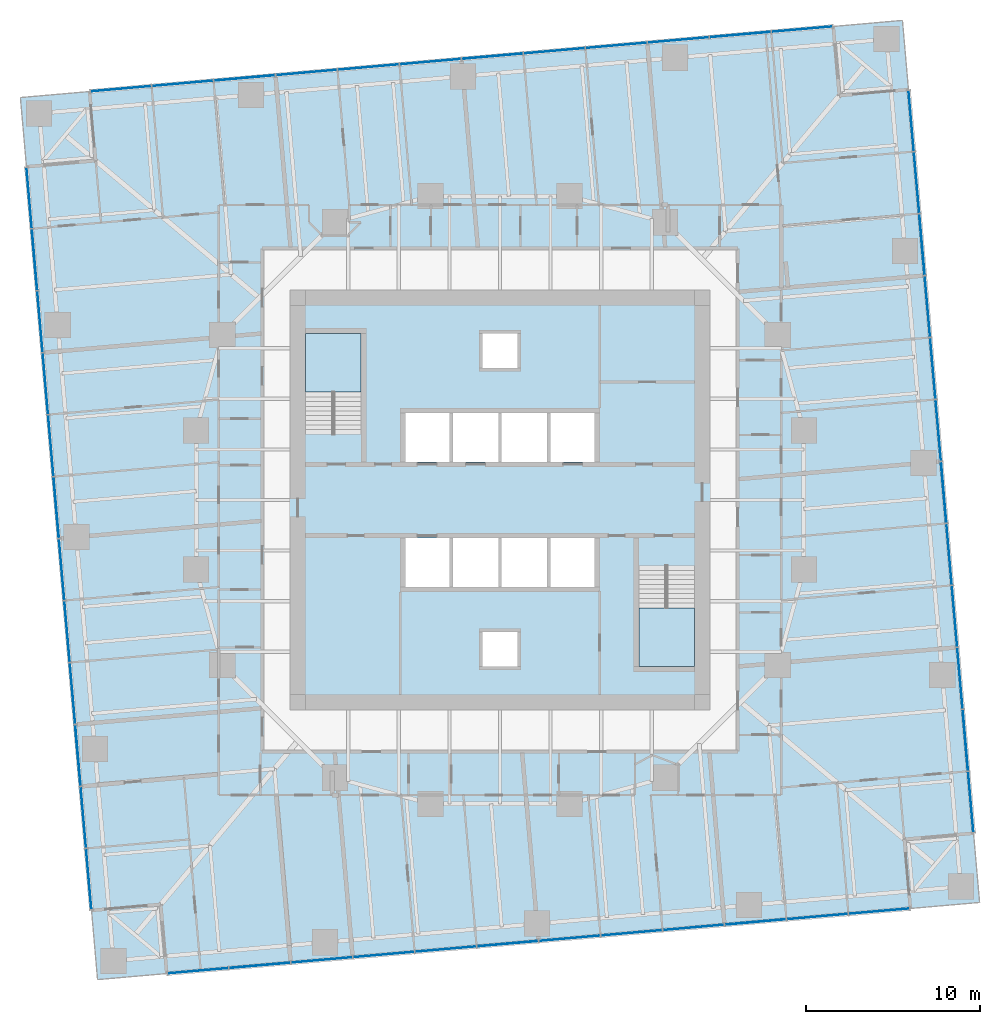
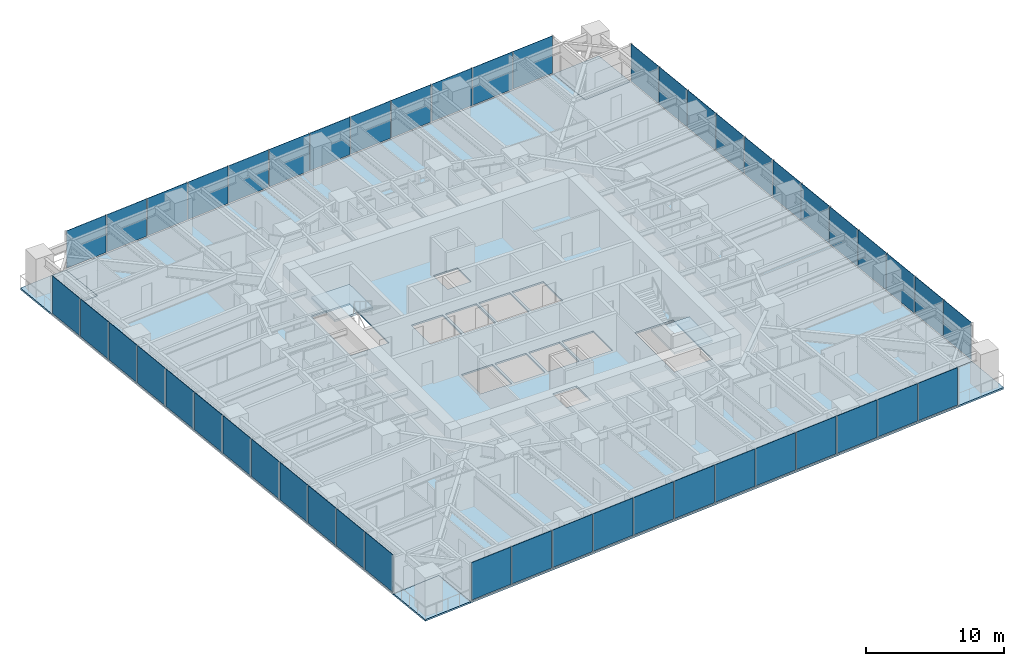
# One storey, part 7 of 14: 48 plates, 7 slabs, 6 elements without a shape of their own.
"""IFC4 building model written with IfcOpenShell, lengths in metres."""

from ifc_helpers import new_model, si_unit, direction, frame, origin, origin_2d, place, context, subcontext, project, spatial, polyline, rectangle, outline, extrude, material, layer, layer_set, type_object, element, aggregate, save


model = new_model("IFC4")

# Units and contexts
model_context = context("Model", 3, precision=1e-05, world=origin(), true_north=direction((0.0, 1.0)))
body_context = subcontext(model_context, "Body", "Model", "MODEL_VIEW")
ifc_project = project(units=[si_unit("LENGTHUNIT", "METRE"), si_unit("AREAUNIT", "SQUARE_METRE"), si_unit("VOLUMEUNIT", "CUBIC_METRE"), si_unit("PLANEANGLEUNIT", "RADIAN"), si_unit("MASSUNIT", "GRAM", prefix="KILO")], contexts=[model_context])

# Site, building, storey
site_placement = place(None, origin())
site = spatial("IfcSite", under=ifc_project, at=site_placement, CompositionType="ELEMENT")
building_placement = place(site_placement, origin())
building = spatial("IfcBuilding", under=site, at=building_placement, Name="Torsade Residences", CompositionType="ELEMENT")
storey_placement = place(building_placement, frame((0.0, 0.0, 57.39990234375)))
storey = spatial("IfcBuildingStorey", under=building, at=storey_placement, Name="L15", CompositionType="ELEMENT", Elevation=57.39990234375)

# Slab
ifc_material_1 = material(Name="Concrete 40 MPa", Category="concrete")
ifc_layer_1 = layer(ifc_material_1, 0.14990234375)
ifc_layer_set_1 = layer_set([ifc_layer_1], Name="Concrete 40 MPa")
slab_type_1 = type_object("IfcSlabType", Name="COMPOSITE FLOOR SLAB 150", PredefinedType="FLOOR", material=ifc_layer_set_1)
slab_1_placement = place(storey_placement, frame((0.0, 0.0, -0.14990234375)))
element("IfcSlab", 1, at=slab_1_placement, inside=storey, type_object=slab_type_1, Name="Floor slab L15", PredefinedType="FLOOR", context=body_context, shape_type="SweptSolid", body=[
    extrude(outline(polyline([(20.80419921875, 2.72314453125), (63.640625, 6.470947265625), (63.2919921875, 10.45556640625), (67.27685546875, 10.80419921875), (63.529052734375, 53.640625), (59.54443359375, 53.2919921875), (59.19580078125, 57.27685546875), (16.359375, 53.529052734375), (16.7080078125, 49.54443359375), (12.72314453125, 49.19580078125), (16.470947265625, 6.359375), (20.45556640625, 6.7080078125), (20.80419921875, 2.72314453125)]), holes=[polyline([(51.199951171875, 20.39990234375), (51.199951171875, 26.1201171875), (48.0, 26.1201171875), (48.0, 20.39990234375), (51.199951171875, 20.39990234375)]), polyline([(45.5, 27.800048828125), (42.89990234375, 27.800048828125), (42.89990234375, 25.0), (45.5, 25.0), (45.5, 27.800048828125)]), polyline([(45.5, 32.199951171875), (45.5, 35.0), (42.89990234375, 35.0), (42.89990234375, 32.199951171875), (45.5, 32.199951171875)]), polyline([(42.699951171875, 25.0), (42.699951171875, 27.800048828125), (40.10009765625, 27.800048828125), (40.10009765625, 25.0), (42.699951171875, 25.0)]), polyline([(42.699951171875, 32.199951171875), (42.699951171875, 35.0), (40.10009765625, 35.0), (40.10009765625, 32.199951171875), (42.699951171875, 32.199951171875)]), polyline([(41.0, 22.39990234375), (39.0, 22.39990234375), (39.0, 20.39990234375), (41.0, 20.39990234375), (41.0, 22.39990234375)]), polyline([(41.0, 37.60009765625), (41.0, 39.60009765625), (39.0, 39.60009765625), (39.0, 37.60009765625), (41.0, 37.60009765625)]), polyline([(39.89990234375, 25.0), (39.89990234375, 27.800048828125), (37.300048828125, 27.800048828125), (37.300048828125, 25.0), (39.89990234375, 25.0)]), polyline([(39.89990234375, 35.0), (37.300048828125, 35.0), (37.300048828125, 32.199951171875), (39.89990234375, 32.199951171875), (39.89990234375, 35.0)]), polyline([(37.10009765625, 27.800048828125), (34.5, 27.800048828125), (34.5, 25.0), (37.10009765625, 25.0), (37.10009765625, 27.800048828125)]), polyline([(37.10009765625, 32.199951171875), (37.10009765625, 35.0), (34.5, 35.0), (34.5, 32.199951171875), (37.10009765625, 32.199951171875)]), polyline([(32.0, 33.8798828125), (32.0, 39.60009765625), (28.800048828125, 39.60009765625), (28.800048828125, 33.8798828125), (32.0, 33.8798828125)])]), origin(), (0.0, 0.0, 1.0), 0.14990234375),
])

# Curtain wall, plates
ifc_material_2 = material(Name="Aluminium and glass", Category="aluminium")
curtain_wall_type = type_object("IfcCurtainWallType", Name="FRITTED GLASS CURTAIN WALL LOW ZONE", PredefinedType="NOTDEFINED", material=ifc_material_2)
curtain_wall_1_placement = place(storey_placement, origin())
curtain_wall_1 = element("IfcCurtainWall", 2, at=curtain_wall_1_placement, inside=storey, type_object=curtain_wall_type, Name="Curtain wall L15 face 1", PredefinedType="NOTDEFINED")
ifc_material_3 = material(Name="Laminated glass", Category="glass")
ifc_layer_2 = layer(ifc_material_3, 0.031982421875)
ifc_layer_set_2 = layer_set([ifc_layer_2], Name="Laminated glass")
plate_type_1 = type_object("IfcPlateType", Name="FRITTED GLASS PANEL", PredefinedType="CURTAIN_PANEL", material=ifc_layer_set_2)
plate_1_placement = place(storey_placement, frame((22.605224609375, 2.880859375, 0.10009765625), z_axis=(0.0, 0.0, 1.0), x_axis=(0.996194697964, 0.087155744208, 0.0)))
plate_1 = element("IfcPlate", 3, at=plate_1_placement, type_object=plate_type_1, Name="Panel 1", PredefinedType="CURTAIN_PANEL", context=body_context, shape_type="SweptSolid", body=[
    extrude(rectangle(XDim=3.48583984375, YDim=0.031982421875, at=origin_2d()), origin(), (0.0, 0.0, 1.0), 3.300048828125),
])
plate_2_placement = place(storey_placement, frame((29.728515625, 3.50390625, 0.10009765625), z_axis=(0.0, 0.0, 1.0), x_axis=(0.996194697964, 0.087155744208, 0.0)))
plate_2 = element("IfcPlate", 4, at=plate_2_placement, type_object=plate_type_1, Name="Panel 3", PredefinedType="CURTAIN_PANEL", context=body_context, shape_type="SweptSolid", body=[
    extrude(rectangle(XDim=3.518310546875, YDim=0.031982421875, at=origin_2d()), origin(), (0.0, 0.0, 1.0), 3.300048828125),
])
plate_3_placement = place(storey_placement, frame((33.29833984375, 3.816162109375, 0.10009765625), z_axis=(0.0, 0.0, 1.0), x_axis=(0.996194697964, 0.087155744208, 0.0)))
plate_3 = element("IfcPlate", 5, at=plate_3_placement, type_object=plate_type_1, Name="Panel 4", PredefinedType="CURTAIN_PANEL", context=body_context, shape_type="SweptSolid", body=[
    extrude(rectangle(XDim=3.518310546875, YDim=0.031982421875, at=origin_2d()), origin(), (0.0, 0.0, 1.0), 3.300048828125),
])
plate_4_placement = place(storey_placement, frame((36.867919921875, 4.128662109375, 0.10009765625), z_axis=(0.0, 0.0, 1.0), x_axis=(0.996194697964, 0.087155744208, 0.0)))
plate_4 = element("IfcPlate", 6, at=plate_4_placement, type_object=plate_type_1, Name="Panel 5", PredefinedType="CURTAIN_PANEL", context=body_context, shape_type="SweptSolid", body=[
    extrude(rectangle(XDim=3.518310546875, YDim=0.031982421875, at=origin_2d()), origin(), (0.0, 0.0, 1.0), 3.300048828125),
])
plate_5_placement = place(storey_placement, frame((44.00732421875, 4.753173828125, 0.10009765625), z_axis=(0.0, 0.0, 1.0), x_axis=(0.996194697964, 0.087155744208, 0.0)))
plate_5 = element("IfcPlate", 7, at=plate_5_placement, type_object=plate_type_1, Name="Panel 7", PredefinedType="CURTAIN_PANEL", context=body_context, shape_type="SweptSolid", body=[
    extrude(rectangle(XDim=3.518310546875, YDim=0.031982421875, at=origin_2d()), origin(), (0.0, 0.0, 1.0), 3.300048828125),
])
plate_6_placement = place(storey_placement, frame((47.576904296875, 5.0654296875, 0.10009765625), z_axis=(0.0, 0.0, 1.0), x_axis=(0.996194697964, 0.087155744208, 0.0)))
plate_6 = element("IfcPlate", 8, at=plate_6_placement, type_object=plate_type_1, Name="Panel 8", PredefinedType="CURTAIN_PANEL", context=body_context, shape_type="SweptSolid", body=[
    extrude(rectangle(XDim=3.518310546875, YDim=0.031982421875, at=origin_2d()), origin(), (0.0, 0.0, 1.0), 3.300048828125),
])
plate_7_placement = place(storey_placement, frame((51.146728515625, 5.377685546875, 0.10009765625), z_axis=(0.0, 0.0, 1.0), x_axis=(0.996194697964, 0.087155744208, 0.0)))
plate_7 = element("IfcPlate", 9, at=plate_7_placement, type_object=plate_type_1, Name="Panel 9", PredefinedType="CURTAIN_PANEL", context=body_context, shape_type="SweptSolid", body=[
    extrude(rectangle(XDim=3.518310546875, YDim=0.031982421875, at=origin_2d()), origin(), (0.0, 0.0, 1.0), 3.300048828125),
])
plate_8_placement = place(storey_placement, frame((58.2861328125, 6.00244140625, 0.10009765625), z_axis=(0.0, 0.0, 1.0), x_axis=(0.996194697964, 0.087155744208, 0.0)))
plate_8 = element("IfcPlate", 10, at=plate_8_placement, type_object=plate_type_1, Name="Panel 11", PredefinedType="CURTAIN_PANEL", context=body_context, shape_type="SweptSolid", body=[
    extrude(rectangle(XDim=3.518310546875, YDim=0.031982421875, at=origin_2d()), origin(), (0.0, 0.0, 1.0), 3.300048828125),
])
plate_9_placement = place(storey_placement, frame((61.839599609375, 6.313232421875, 0.10009765625), z_axis=(0.0, 0.0, 1.0), x_axis=(0.996194697964, 0.087155744208, 0.0)))
plate_9 = element("IfcPlate", 11, at=plate_9_placement, type_object=plate_type_1, Name="Panel 12", PredefinedType="CURTAIN_PANEL", context=body_context, shape_type="SweptSolid", body=[
    extrude(rectangle(XDim=3.48583984375, YDim=0.031982421875, at=origin_2d()), origin(), (0.0, 0.0, 1.0), 3.300048828125),
])

curtain_wall_2_placement = place(storey_placement, origin())
curtain_wall_2 = element("IfcCurtainWall", 12, at=curtain_wall_2_placement, inside=storey, type_object=curtain_wall_type, Name="Curtain wall L15 face 4", PredefinedType="NOTDEFINED")
plate_10_placement = place(storey_placement, frame((67.119140625, 12.605224609375, 0.10009765625), z_axis=(0.0, 0.0, 1.0), x_axis=(-0.087155744208, 0.996194697964, 0.0)))
plate_10 = element("IfcPlate", 13, at=plate_10_placement, type_object=plate_type_1, Name="Panel 1", PredefinedType="CURTAIN_PANEL", context=body_context, shape_type="SweptSolid", body=[
    extrude(rectangle(XDim=3.48583984375, YDim=0.031982421875, at=origin_2d()), origin(), (0.0, 0.0, 1.0), 3.300048828125),
])
plate_11_placement = place(storey_placement, frame((66.49609375, 19.728515625, 0.10009765625), z_axis=(0.0, 0.0, 1.0), x_axis=(-0.087155744208, 0.996194697964, 0.0)))
plate_11 = element("IfcPlate", 14, at=plate_11_placement, type_object=plate_type_1, Name="Panel 3", PredefinedType="CURTAIN_PANEL", context=body_context, shape_type="SweptSolid", body=[
    extrude(rectangle(XDim=3.518310546875, YDim=0.031982421875, at=origin_2d()), origin(), (0.0, 0.0, 1.0), 3.300048828125),
])
plate_12_placement = place(storey_placement, frame((66.183837890625, 23.29833984375, 0.10009765625), z_axis=(0.0, 0.0, 1.0), x_axis=(-0.087155744208, 0.996194697964, 0.0)))
plate_12 = element("IfcPlate", 15, at=plate_12_placement, type_object=plate_type_1, Name="Panel 4", PredefinedType="CURTAIN_PANEL", context=body_context, shape_type="SweptSolid", body=[
    extrude(rectangle(XDim=3.518310546875, YDim=0.031982421875, at=origin_2d()), origin(), (0.0, 0.0, 1.0), 3.300048828125),
])
plate_13_placement = place(storey_placement, frame((65.871337890625, 26.867919921875, 0.10009765625), z_axis=(0.0, 0.0, 1.0), x_axis=(-0.087155744208, 0.996194697964, 0.0)))
plate_13 = element("IfcPlate", 16, at=plate_13_placement, type_object=plate_type_1, Name="Panel 5", PredefinedType="CURTAIN_PANEL", context=body_context, shape_type="SweptSolid", body=[
    extrude(rectangle(XDim=3.518310546875, YDim=0.031982421875, at=origin_2d()), origin(), (0.0, 0.0, 1.0), 3.300048828125),
])
plate_14_placement = place(storey_placement, frame((65.246826171875, 34.00732421875, 0.10009765625), z_axis=(0.0, 0.0, 1.0), x_axis=(-0.087155744208, 0.996194697964, 0.0)))
plate_14 = element("IfcPlate", 17, at=plate_14_placement, type_object=plate_type_1, Name="Panel 7", PredefinedType="CURTAIN_PANEL", context=body_context, shape_type="SweptSolid", body=[
    extrude(rectangle(XDim=3.518310546875, YDim=0.031982421875, at=origin_2d()), origin(), (0.0, 0.0, 1.0), 3.300048828125),
])
plate_15_placement = place(storey_placement, frame((64.9345703125, 37.576904296875, 0.10009765625), z_axis=(0.0, 0.0, 1.0), x_axis=(-0.087155744208, 0.996194697964, 0.0)))
plate_15 = element("IfcPlate", 18, at=plate_15_placement, type_object=plate_type_1, Name="Panel 8", PredefinedType="CURTAIN_PANEL", context=body_context, shape_type="SweptSolid", body=[
    extrude(rectangle(XDim=3.518310546875, YDim=0.031982421875, at=origin_2d()), origin(), (0.0, 0.0, 1.0), 3.300048828125),
])
plate_16_placement = place(storey_placement, frame((64.622314453125, 41.146728515625, 0.10009765625), z_axis=(0.0, 0.0, 1.0), x_axis=(-0.087155744208, 0.996194697964, 0.0)))
plate_16 = element("IfcPlate", 19, at=plate_16_placement, type_object=plate_type_1, Name="Panel 9", PredefinedType="CURTAIN_PANEL", context=body_context, shape_type="SweptSolid", body=[
    extrude(rectangle(XDim=3.518310546875, YDim=0.031982421875, at=origin_2d()), origin(), (0.0, 0.0, 1.0), 3.300048828125),
])
plate_17_placement = place(storey_placement, frame((63.99755859375, 48.2861328125, 0.10009765625), z_axis=(0.0, 0.0, 1.0), x_axis=(-0.087155744208, 0.996194697964, 0.0)))
plate_17 = element("IfcPlate", 20, at=plate_17_placement, type_object=plate_type_1, Name="Panel 11", PredefinedType="CURTAIN_PANEL", context=body_context, shape_type="SweptSolid", body=[
    extrude(rectangle(XDim=3.518310546875, YDim=0.031982421875, at=origin_2d()), origin(), (0.0, 0.0, 1.0), 3.300048828125),
])
plate_18_placement = place(storey_placement, frame((63.686767578125, 51.839599609375, 0.10009765625), z_axis=(0.0, 0.0, 1.0), x_axis=(-0.087155744208, 0.996194697964, 0.0)))
plate_18 = element("IfcPlate", 21, at=plate_18_placement, type_object=plate_type_1, Name="Panel 12", PredefinedType="CURTAIN_PANEL", context=body_context, shape_type="SweptSolid", body=[
    extrude(rectangle(XDim=3.48583984375, YDim=0.031982421875, at=origin_2d()), origin(), (0.0, 0.0, 1.0), 3.300048828125),
])

curtain_wall_3_placement = place(storey_placement, origin())
curtain_wall_3 = element("IfcCurtainWall", 22, at=curtain_wall_3_placement, inside=storey, type_object=curtain_wall_type, Name="Curtain wall L15 face 7", PredefinedType="NOTDEFINED")
plate_19_placement = place(storey_placement, frame((57.394775390625, 57.119140625, 0.10009765625), z_axis=(0.0, 0.0, 1.0), x_axis=(-0.996194697964, -0.087155744208, 0.0)))
plate_19 = element("IfcPlate", 23, at=plate_19_placement, type_object=plate_type_1, Name="Panel 1", PredefinedType="CURTAIN_PANEL", context=body_context, shape_type="SweptSolid", body=[
    extrude(rectangle(XDim=3.48583984375, YDim=0.031982421875, at=origin_2d()), origin(), (0.0, 0.0, 1.0), 3.300048828125),
])
plate_20_placement = place(storey_placement, frame((50.271484375, 56.49609375, 0.10009765625), z_axis=(0.0, 0.0, 1.0), x_axis=(-0.996194697964, -0.087155744208, 0.0)))
plate_20 = element("IfcPlate", 24, at=plate_20_placement, type_object=plate_type_1, Name="Panel 3", PredefinedType="CURTAIN_PANEL", context=body_context, shape_type="SweptSolid", body=[
    extrude(rectangle(XDim=3.518310546875, YDim=0.031982421875, at=origin_2d()), origin(), (0.0, 0.0, 1.0), 3.300048828125),
])
plate_21_placement = place(storey_placement, frame((46.70166015625, 56.183837890625, 0.10009765625), z_axis=(0.0, 0.0, 1.0), x_axis=(-0.996194697964, -0.087155744208, 0.0)))
plate_21 = element("IfcPlate", 25, at=plate_21_placement, type_object=plate_type_1, Name="Panel 4", PredefinedType="CURTAIN_PANEL", context=body_context, shape_type="SweptSolid", body=[
    extrude(rectangle(XDim=3.518310546875, YDim=0.031982421875, at=origin_2d()), origin(), (0.0, 0.0, 1.0), 3.300048828125),
])
plate_22_placement = place(storey_placement, frame((43.132080078125, 55.871337890625, 0.10009765625), z_axis=(0.0, 0.0, 1.0), x_axis=(-0.996194697964, -0.087155744208, 0.0)))
plate_22 = element("IfcPlate", 26, at=plate_22_placement, type_object=plate_type_1, Name="Panel 5", PredefinedType="CURTAIN_PANEL", context=body_context, shape_type="SweptSolid", body=[
    extrude(rectangle(XDim=3.518310546875, YDim=0.031982421875, at=origin_2d()), origin(), (0.0, 0.0, 1.0), 3.300048828125),
])
plate_23_placement = place(storey_placement, frame((35.99267578125, 55.246826171875, 0.10009765625), z_axis=(0.0, 0.0, 1.0), x_axis=(-0.996194697964, -0.087155744208, 0.0)))
plate_23 = element("IfcPlate", 27, at=plate_23_placement, type_object=plate_type_1, Name="Panel 7", PredefinedType="CURTAIN_PANEL", context=body_context, shape_type="SweptSolid", body=[
    extrude(rectangle(XDim=3.518310546875, YDim=0.031982421875, at=origin_2d()), origin(), (0.0, 0.0, 1.0), 3.300048828125),
])
plate_24_placement = place(storey_placement, frame((32.423095703125, 54.9345703125, 0.10009765625), z_axis=(0.0, 0.0, 1.0), x_axis=(-0.996194697964, -0.087155744208, 0.0)))
plate_24 = element("IfcPlate", 28, at=plate_24_placement, type_object=plate_type_1, Name="Panel 8", PredefinedType="CURTAIN_PANEL", context=body_context, shape_type="SweptSolid", body=[
    extrude(rectangle(XDim=3.518310546875, YDim=0.031982421875, at=origin_2d()), origin(), (0.0, 0.0, 1.0), 3.300048828125),
])
plate_25_placement = place(storey_placement, frame((28.853271484375, 54.622314453125, 0.10009765625), z_axis=(0.0, 0.0, 1.0), x_axis=(-0.996194697964, -0.087155744208, 0.0)))
plate_25 = element("IfcPlate", 29, at=plate_25_placement, type_object=plate_type_1, Name="Panel 9", PredefinedType="CURTAIN_PANEL", context=body_context, shape_type="SweptSolid", body=[
    extrude(rectangle(XDim=3.518310546875, YDim=0.031982421875, at=origin_2d()), origin(), (0.0, 0.0, 1.0), 3.300048828125),
])
plate_26_placement = place(storey_placement, frame((21.7138671875, 53.99755859375, 0.10009765625), z_axis=(0.0, 0.0, 1.0), x_axis=(-0.996194697964, -0.087155744208, 0.0)))
plate_26 = element("IfcPlate", 30, at=plate_26_placement, type_object=plate_type_1, Name="Panel 11", PredefinedType="CURTAIN_PANEL", context=body_context, shape_type="SweptSolid", body=[
    extrude(rectangle(XDim=3.518310546875, YDim=0.031982421875, at=origin_2d()), origin(), (0.0, 0.0, 1.0), 3.300048828125),
])
plate_27_placement = place(storey_placement, frame((18.160400390625, 53.686767578125, 0.10009765625), z_axis=(0.0, 0.0, 1.0), x_axis=(-0.996194697964, -0.087155744208, 0.0)))
plate_27 = element("IfcPlate", 31, at=plate_27_placement, type_object=plate_type_1, Name="Panel 12", PredefinedType="CURTAIN_PANEL", context=body_context, shape_type="SweptSolid", body=[
    extrude(rectangle(XDim=3.48583984375, YDim=0.031982421875, at=origin_2d()), origin(), (0.0, 0.0, 1.0), 3.300048828125),
])

curtain_wall_4_placement = place(storey_placement, origin())
curtain_wall_4 = element("IfcCurtainWall", 32, at=curtain_wall_4_placement, inside=storey, type_object=curtain_wall_type, Name="Curtain wall L15 face 10", PredefinedType="NOTDEFINED")
plate_28_placement = place(storey_placement, frame((12.880859375, 47.394775390625, 0.10009765625), z_axis=(0.0, 0.0, 1.0), x_axis=(0.087155744208, -0.996194697964, 0.0)))
plate_28 = element("IfcPlate", 33, at=plate_28_placement, type_object=plate_type_1, Name="Panel 1", PredefinedType="CURTAIN_PANEL", context=body_context, shape_type="SweptSolid", body=[
    extrude(rectangle(XDim=3.48583984375, YDim=0.031982421875, at=origin_2d()), origin(), (0.0, 0.0, 1.0), 3.300048828125),
])
plate_29_placement = place(storey_placement, frame((13.50390625, 40.271484375, 0.10009765625), z_axis=(0.0, 0.0, 1.0), x_axis=(0.087155744208, -0.996194697964, 0.0)))
plate_29 = element("IfcPlate", 34, at=plate_29_placement, type_object=plate_type_1, Name="Panel 3", PredefinedType="CURTAIN_PANEL", context=body_context, shape_type="SweptSolid", body=[
    extrude(rectangle(XDim=3.518310546875, YDim=0.031982421875, at=origin_2d()), origin(), (0.0, 0.0, 1.0), 3.300048828125),
])
plate_30_placement = place(storey_placement, frame((13.816162109375, 36.70166015625, 0.10009765625), z_axis=(0.0, 0.0, 1.0), x_axis=(0.087155744208, -0.996194697964, 0.0)))
plate_30 = element("IfcPlate", 35, at=plate_30_placement, type_object=plate_type_1, Name="Panel 4", PredefinedType="CURTAIN_PANEL", context=body_context, shape_type="SweptSolid", body=[
    extrude(rectangle(XDim=3.518310546875, YDim=0.031982421875, at=origin_2d()), origin(), (0.0, 0.0, 1.0), 3.300048828125),
])
plate_31_placement = place(storey_placement, frame((14.128662109375, 33.132080078125, 0.10009765625), z_axis=(0.0, 0.0, 1.0), x_axis=(0.087155744208, -0.996194697964, 0.0)))
plate_31 = element("IfcPlate", 36, at=plate_31_placement, type_object=plate_type_1, Name="Panel 5", PredefinedType="CURTAIN_PANEL", context=body_context, shape_type="SweptSolid", body=[
    extrude(rectangle(XDim=3.518310546875, YDim=0.031982421875, at=origin_2d()), origin(), (0.0, 0.0, 1.0), 3.300048828125),
])
plate_32_placement = place(storey_placement, frame((14.753173828125, 25.99267578125, 0.10009765625), z_axis=(0.0, 0.0, 1.0), x_axis=(0.087155744208, -0.996194697964, 0.0)))
plate_32 = element("IfcPlate", 37, at=plate_32_placement, type_object=plate_type_1, Name="Panel 7", PredefinedType="CURTAIN_PANEL", context=body_context, shape_type="SweptSolid", body=[
    extrude(rectangle(XDim=3.518310546875, YDim=0.031982421875, at=origin_2d()), origin(), (0.0, 0.0, 1.0), 3.300048828125),
])
plate_33_placement = place(storey_placement, frame((15.0654296875, 22.423095703125, 0.10009765625), z_axis=(0.0, 0.0, 1.0), x_axis=(0.087155744208, -0.996194697964, 0.0)))
plate_33 = element("IfcPlate", 38, at=plate_33_placement, type_object=plate_type_1, Name="Panel 8", PredefinedType="CURTAIN_PANEL", context=body_context, shape_type="SweptSolid", body=[
    extrude(rectangle(XDim=3.518310546875, YDim=0.031982421875, at=origin_2d()), origin(), (0.0, 0.0, 1.0), 3.300048828125),
])
plate_34_placement = place(storey_placement, frame((15.377685546875, 18.853271484375, 0.10009765625), z_axis=(0.0, 0.0, 1.0), x_axis=(0.087155744208, -0.996194697964, 0.0)))
plate_34 = element("IfcPlate", 39, at=plate_34_placement, type_object=plate_type_1, Name="Panel 9", PredefinedType="CURTAIN_PANEL", context=body_context, shape_type="SweptSolid", body=[
    extrude(rectangle(XDim=3.518310546875, YDim=0.031982421875, at=origin_2d()), origin(), (0.0, 0.0, 1.0), 3.300048828125),
])
plate_35_placement = place(storey_placement, frame((16.00244140625, 11.7138671875, 0.10009765625), z_axis=(0.0, 0.0, 1.0), x_axis=(0.087155744208, -0.996194697964, 0.0)))
plate_35 = element("IfcPlate", 40, at=plate_35_placement, type_object=plate_type_1, Name="Panel 11", PredefinedType="CURTAIN_PANEL", context=body_context, shape_type="SweptSolid", body=[
    extrude(rectangle(XDim=3.518310546875, YDim=0.031982421875, at=origin_2d()), origin(), (0.0, 0.0, 1.0), 3.300048828125),
])
plate_36_placement = place(storey_placement, frame((16.313232421875, 8.160400390625, 0.10009765625), z_axis=(0.0, 0.0, 1.0), x_axis=(0.087155744208, -0.996194697964, 0.0)))
plate_36 = element("IfcPlate", 41, at=plate_36_placement, type_object=plate_type_1, Name="Panel 12", PredefinedType="CURTAIN_PANEL", context=body_context, shape_type="SweptSolid", body=[
    extrude(rectangle(XDim=3.48583984375, YDim=0.031982421875, at=origin_2d()), origin(), (0.0, 0.0, 1.0), 3.300048828125),
])

# Plate
ifc_material_4 = material(Name="Laminated glass", Category="glass")
ifc_layer_3 = layer(ifc_material_4, 0.0400390625)
ifc_layer_set_3 = layer_set([ifc_layer_3], Name="Laminated glass")
plate_type_2 = type_object("IfcPlateType", Name="OPERABLE VENT PANEL", PredefinedType="CURTAIN_PANEL", material=ifc_layer_set_3)
plate_37_placement = place(storey_placement, frame((26.158935546875, 3.191650390625, 0.10009765625), z_axis=(0.0, 0.0, 1.0), x_axis=(0.996194697964, 0.087155744208, 0.0)))
plate_37 = element("IfcPlate", 42, at=plate_37_placement, type_object=plate_type_2, Name="Panel 2", PredefinedType="CURTAIN_PANEL", context=body_context, shape_type="SweptSolid", body=[
    extrude(rectangle(XDim=3.518310546875, YDim=0.0400390625, at=origin_2d()), origin(), (0.0, 0.0, 1.0), 3.300048828125),
])

plate_38_placement = place(storey_placement, frame((40.437744140625, 4.44091796875, 0.10009765625), z_axis=(0.0, 0.0, 1.0), x_axis=(0.996194697964, 0.087155744208, 0.0)))
plate_38 = element("IfcPlate", 43, at=plate_38_placement, type_object=plate_type_2, Name="Panel 6", PredefinedType="CURTAIN_PANEL", context=body_context, shape_type="SweptSolid", body=[
    extrude(rectangle(XDim=3.518310546875, YDim=0.0400390625, at=origin_2d()), origin(), (0.0, 0.0, 1.0), 3.300048828125),
])

plate_39_placement = place(storey_placement, frame((54.71630859375, 5.690185546875, 0.10009765625), z_axis=(0.0, 0.0, 1.0), x_axis=(0.996194697964, 0.087155744208, 0.0)))
plate_39 = element("IfcPlate", 44, at=plate_39_placement, type_object=plate_type_2, Name="Panel 10", PredefinedType="CURTAIN_PANEL", context=body_context, shape_type="SweptSolid", body=[
    extrude(rectangle(XDim=3.518310546875, YDim=0.0400390625, at=origin_2d()), origin(), (0.0, 0.0, 1.0), 3.300048828125),
])

aggregate(curtain_wall_1, [plate_1, plate_37, plate_2, plate_3, plate_4, plate_38, plate_5, plate_6, plate_7, plate_39, plate_8, plate_9])

plate_40_placement = place(storey_placement, frame((66.808349609375, 16.158935546875, 0.10009765625), z_axis=(0.0, 0.0, 1.0), x_axis=(-0.087155744208, 0.996194697964, 0.0)))
plate_40 = element("IfcPlate", 45, at=plate_40_placement, type_object=plate_type_2, Name="Panel 2", PredefinedType="CURTAIN_PANEL", context=body_context, shape_type="SweptSolid", body=[
    extrude(rectangle(XDim=3.518310546875, YDim=0.0400390625, at=origin_2d()), origin(), (0.0, 0.0, 1.0), 3.300048828125),
])

plate_41_placement = place(storey_placement, frame((65.55908203125, 30.437744140625, 0.10009765625), z_axis=(0.0, 0.0, 1.0), x_axis=(-0.087155744208, 0.996194697964, 0.0)))
plate_41 = element("IfcPlate", 46, at=plate_41_placement, type_object=plate_type_2, Name="Panel 6", PredefinedType="CURTAIN_PANEL", context=body_context, shape_type="SweptSolid", body=[
    extrude(rectangle(XDim=3.518310546875, YDim=0.0400390625, at=origin_2d()), origin(), (0.0, 0.0, 1.0), 3.300048828125),
])

plate_42_placement = place(storey_placement, frame((64.309814453125, 44.71630859375, 0.10009765625), z_axis=(0.0, 0.0, 1.0), x_axis=(-0.087155744208, 0.996194697964, 0.0)))
plate_42 = element("IfcPlate", 47, at=plate_42_placement, type_object=plate_type_2, Name="Panel 10", PredefinedType="CURTAIN_PANEL", context=body_context, shape_type="SweptSolid", body=[
    extrude(rectangle(XDim=3.518310546875, YDim=0.0400390625, at=origin_2d()), origin(), (0.0, 0.0, 1.0), 3.300048828125),
])

aggregate(curtain_wall_2, [plate_10, plate_40, plate_11, plate_12, plate_13, plate_41, plate_14, plate_15, plate_16, plate_42, plate_17, plate_18])

plate_43_placement = place(storey_placement, frame((53.841064453125, 56.808349609375, 0.10009765625), z_axis=(0.0, 0.0, 1.0), x_axis=(-0.996194697964, -0.087155744208, 0.0)))
plate_43 = element("IfcPlate", 48, at=plate_43_placement, type_object=plate_type_2, Name="Panel 2", PredefinedType="CURTAIN_PANEL", context=body_context, shape_type="SweptSolid", body=[
    extrude(rectangle(XDim=3.518310546875, YDim=0.0400390625, at=origin_2d()), origin(), (0.0, 0.0, 1.0), 3.300048828125),
])

plate_44_placement = place(storey_placement, frame((39.562255859375, 55.55908203125, 0.10009765625), z_axis=(0.0, 0.0, 1.0), x_axis=(-0.996194697964, -0.087155744208, 0.0)))
plate_44 = element("IfcPlate", 49, at=plate_44_placement, type_object=plate_type_2, Name="Panel 6", PredefinedType="CURTAIN_PANEL", context=body_context, shape_type="SweptSolid", body=[
    extrude(rectangle(XDim=3.518310546875, YDim=0.0400390625, at=origin_2d()), origin(), (0.0, 0.0, 1.0), 3.300048828125),
])

plate_45_placement = place(storey_placement, frame((25.28369140625, 54.309814453125, 0.10009765625), z_axis=(0.0, 0.0, 1.0), x_axis=(-0.996194697964, -0.087155744208, 0.0)))
plate_45 = element("IfcPlate", 50, at=plate_45_placement, type_object=plate_type_2, Name="Panel 10", PredefinedType="CURTAIN_PANEL", context=body_context, shape_type="SweptSolid", body=[
    extrude(rectangle(XDim=3.518310546875, YDim=0.0400390625, at=origin_2d()), origin(), (0.0, 0.0, 1.0), 3.300048828125),
])

aggregate(curtain_wall_3, [plate_19, plate_43, plate_20, plate_21, plate_22, plate_44, plate_23, plate_24, plate_25, plate_45, plate_26, plate_27])

plate_46_placement = place(storey_placement, frame((13.191650390625, 43.841064453125, 0.10009765625), z_axis=(0.0, 0.0, 1.0), x_axis=(0.087155744208, -0.996194697964, 0.0)))
plate_46 = element("IfcPlate", 51, at=plate_46_placement, type_object=plate_type_2, Name="Panel 2", PredefinedType="CURTAIN_PANEL", context=body_context, shape_type="SweptSolid", body=[
    extrude(rectangle(XDim=3.518310546875, YDim=0.0400390625, at=origin_2d()), origin(), (0.0, 0.0, 1.0), 3.300048828125),
])

plate_47_placement = place(storey_placement, frame((14.44091796875, 29.562255859375, 0.10009765625), z_axis=(0.0, 0.0, 1.0), x_axis=(0.087155744208, -0.996194697964, 0.0)))
plate_47 = element("IfcPlate", 52, at=plate_47_placement, type_object=plate_type_2, Name="Panel 6", PredefinedType="CURTAIN_PANEL", context=body_context, shape_type="SweptSolid", body=[
    extrude(rectangle(XDim=3.518310546875, YDim=0.0400390625, at=origin_2d()), origin(), (0.0, 0.0, 1.0), 3.300048828125),
])

plate_48_placement = place(storey_placement, frame((15.690185546875, 15.28369140625, 0.10009765625), z_axis=(0.0, 0.0, 1.0), x_axis=(0.087155744208, -0.996194697964, 0.0)))
plate_48 = element("IfcPlate", 53, at=plate_48_placement, type_object=plate_type_2, Name="Panel 10", PredefinedType="CURTAIN_PANEL", context=body_context, shape_type="SweptSolid", body=[
    extrude(rectangle(XDim=3.518310546875, YDim=0.0400390625, at=origin_2d()), origin(), (0.0, 0.0, 1.0), 3.300048828125),
])

aggregate(curtain_wall_4, [plate_28, plate_46, plate_29, plate_30, plate_31, plate_47, plate_32, plate_33, plate_34, plate_48, plate_35, plate_36])

# Stair, slab
ifc_material_5 = material(Name="Precast concrete 40 MPa", Category="concrete")
stair_type = type_object("IfcStairType", Name="HALF-TURN FIRE STAIR 1500x3400", PredefinedType="HALF_TURN_STAIR", material=ifc_material_5)
stair_1_placement = place(storey_placement, origin())
stair_1 = element("IfcStair", 54, at=stair_1_placement, inside=storey, type_object=stair_type, Name="Stair ST1 L15", PredefinedType="HALF_TURN_STAIR")
ifc_material_6 = material(Name="Precast concrete 40 MPa", Category="concrete")
ifc_layer_4 = layer(ifc_material_6, 0.179931640625)
ifc_layer_set_4 = layer_set([ifc_layer_4], Name="Precast concrete 40 MPa")
slab_type_2 = type_object("IfcSlabType", Name="PRECAST STAIR LANDING 180", PredefinedType="LANDING", material=ifc_layer_set_4)
slab_2_placement = place(storey_placement, frame((0.0, 0.0, 1.52001953125)))
slab_2 = element("IfcSlab", 55, at=slab_2_placement, type_object=slab_type_2, Name="ST1 landing 1", PredefinedType="LANDING", context=body_context, shape_type="SweptSolid", body=[
    extrude(outline(polyline([(28.800048828125, 36.2099609375), (32.0, 36.2099609375), (32.0, 39.60009765625), (28.800048828125, 39.60009765625), (28.800048828125, 36.2099609375)])), origin(), (0.0, 0.0, 1.0), 0.18017578125),
])
aggregate(stair_1, [slab_2])

stair_2_placement = place(storey_placement, origin())
stair_2 = element("IfcStair", 56, at=stair_2_placement, inside=storey, type_object=stair_type, Name="Stair ST2 L15", PredefinedType="HALF_TURN_STAIR")
slab_3_placement = place(storey_placement, frame((0.0, 0.0, 1.52001953125)))
slab_3 = element("IfcSlab", 57, at=slab_3_placement, type_object=slab_type_2, Name="ST2 landing 1", PredefinedType="LANDING", context=body_context, shape_type="SweptSolid", body=[
    extrude(outline(polyline([(48.0, 20.39990234375), (51.199951171875, 20.39990234375), (51.199951171875, 23.7900390625), (48.0, 23.7900390625), (48.0, 20.39990234375)])), origin(), (0.0, 0.0, 1.0), 0.18017578125),
])
aggregate(stair_2, [slab_3])

# Slabs
ifc_material_7 = material(Name="Concrete 40 MPa", Category="concrete")
ifc_layer_5 = layer(ifc_material_7, 0.14990234375)
ifc_layer_set_5 = layer_set([ifc_layer_5], Name="Concrete 40 MPa")
slab_type_3 = type_object("IfcSlabType", Name="TERRACE SLAB 150", PredefinedType="FLOOR", material=ifc_layer_set_5)
slab_4_placement = place(storey_placement, frame((0.0, 0.0, -0.14990234375)))
element("IfcSlab", 58, at=slab_4_placement, inside=storey, type_object=slab_type_3, Name="Corner terrace slab SE L15", PredefinedType="FLOOR", context=body_context, shape_type="SweptSolid", body=[
    extrude(outline(polyline([(63.640625, 6.470947265625), (67.62548828125, 6.819580078125), (67.27685546875, 10.80419921875), (63.2919921875, 10.45556640625), (63.640625, 6.470947265625)])), origin(), (0.0, 0.0, 1.0), 0.14990234375),
])
slab_5_placement = place(storey_placement, frame((0.0, 0.0, -0.14990234375)))
element("IfcSlab", 59, at=slab_5_placement, inside=storey, type_object=slab_type_3, Name="Corner terrace slab NE L15", PredefinedType="FLOOR", context=body_context, shape_type="SweptSolid", body=[
    extrude(outline(polyline([(59.54443359375, 53.2919921875), (63.529052734375, 53.640625), (63.180419921875, 57.62548828125), (59.19580078125, 57.27685546875), (59.54443359375, 53.2919921875)])), origin(), (0.0, 0.0, 1.0), 0.14990234375),
])
slab_6_placement = place(storey_placement, frame((0.0, 0.0, -0.14990234375)))
element("IfcSlab", 60, at=slab_6_placement, inside=storey, type_object=slab_type_3, Name="Corner terrace slab NW L15", PredefinedType="FLOOR", context=body_context, shape_type="SweptSolid", body=[
    extrude(outline(polyline([(12.72314453125, 49.19580078125), (16.7080078125, 49.54443359375), (16.359375, 53.529052734375), (12.37451171875, 53.180419921875), (12.72314453125, 49.19580078125)])), origin(), (0.0, 0.0, 1.0), 0.14990234375),
])
slab_7_placement = place(storey_placement, frame((0.0, 0.0, -0.14990234375)))
element("IfcSlab", 61, at=slab_7_placement, inside=storey, type_object=slab_type_3, Name="Corner terrace slab SW L15", PredefinedType="FLOOR", context=body_context, shape_type="SweptSolid", body=[
    extrude(outline(polyline([(16.819580078125, 2.37451171875), (20.80419921875, 2.72314453125), (20.45556640625, 6.7080078125), (16.470947265625, 6.359375), (16.819580078125, 2.37451171875)])), origin(), (0.0, 0.0, 1.0), 0.14990234375),
])

save(model, "model.ifc")
